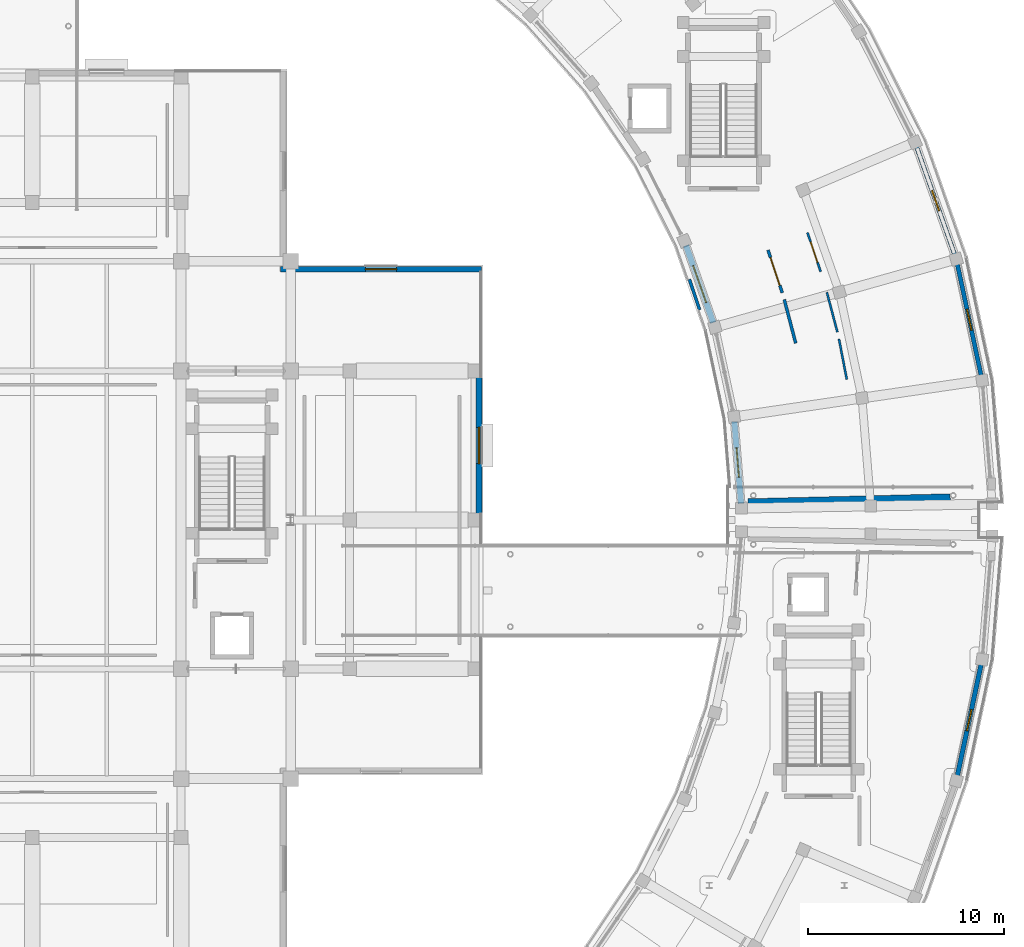
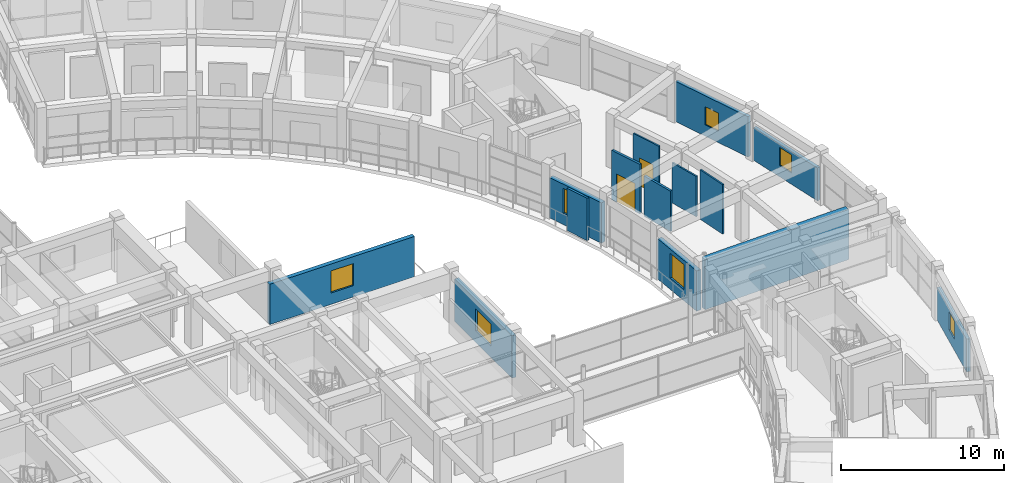
# One storey, part 50 of 70: 14 walls, 7 windows, 2 doors, 9 openings.
"""IFC4 building model written with IfcOpenShell, lengths in metres."""

from ifc_helpers import new_model, si_unit, direction, frame, frame_2d, origin, place, context, subcontext, project, spatial, rectangle, extrude, material, layer, layer_set, type_object, element, fill, save


model = new_model("IFC4")

# Units and contexts
model_context = context("Model", 3, precision=1e-05, world=origin(), true_north=direction((0.0, 1.0)))
body_context = subcontext(model_context, "Body", "Model", "MODEL_VIEW")
ifc_project = project(units=[si_unit("LENGTHUNIT", "METRE"), si_unit("AREAUNIT", "SQUARE_METRE"), si_unit("VOLUMEUNIT", "CUBIC_METRE"), si_unit("PLANEANGLEUNIT", "RADIAN"), si_unit("MASSUNIT", "GRAM", prefix="KILO")], contexts=[model_context])

# Site, building, storey
site_placement = place(None, origin())
site = spatial("IfcSite", under=ifc_project, at=site_placement, CompositionType="ELEMENT")
building_placement = place(site_placement, origin())
building = spatial("IfcBuilding", under=site, at=building_placement, Name="Saryqyr Civic Hall", CompositionType="ELEMENT")
storey_placement = place(building_placement, frame((0.0, 0.0, 13.199951171875)))
storey = spatial("IfcBuildingStorey", under=building, at=storey_placement, Name="L03", CompositionType="ELEMENT", Elevation=13.199951171875)

# Wall, opening, window
ifc_material_1 = material(Name="Precast concrete C40/50", Category="concrete")
ifc_layer_1 = layer(ifc_material_1, 0.219970703125, Name="Precast concrete C40/50")
ifc_layer_set_1 = layer_set([ifc_layer_1], Name="Precast concrete C40/50")
wall_type_1 = type_object("IfcWallType", Name="ENV-WAL-EXT-220", PredefinedType="STANDARD", material=ifc_layer_set_1)
wall_1_placement = place(storey_placement, frame((104.208251953125, 97.07373046875, 0.0), z_axis=(0.0, 0.0, 1.0), x_axis=(0.208873267346, -0.977942717233, 0.0)))
wall_1 = element("IfcWall", 1, at=wall_1_placement, inside=storey, type_object=wall_type_1, Name="Exterior wall V6-EWO-L03-01", PredefinedType="STANDARD", context=body_context, shape_type="SweptSolid", body=[
    extrude(rectangle(XDim=5.84765625, YDim=0.219970703125, at=frame_2d((2.923828125, 0.0))), origin(), (0.0, 0.0, 1.0), 2.449951171875),
])
opening_1_placement = place(wall_1_placement, frame((2.3740234375, 0.0, 0.85009765625)))
opening_1 = element("IfcOpeningElement", 2, at=opening_1_placement, cuts=wall_1, Name="Opening W-01", PredefinedType="OPENING", context=body_context, shape_type="SweptSolid", body=[
    extrude(rectangle(XDim=1.10009765625, YDim=1.35009765625, at=frame_2d((0.550048828125, 0.675048828125))), frame((0.0, 0.119873046875, 0.0), z_axis=(0.0, -1.0, 0.0), x_axis=(1.0, 0.0, 0.0)), (0.0, 0.0, 1.0), 0.239990234375),
])
ifc_material_2 = material(Name="Anodised aluminium and triple low-E glass", Category="aluminium")
window_type_1 = type_object("IfcWindowType", Name="ENV-WIN-W01", PartitioningType="SINGLE_PANEL", PredefinedType="WINDOW", material=ifc_material_2)
window_1_placement = place(opening_1_placement, origin())
window_1 = element("IfcWindow", 3, at=window_1_placement, inside=storey, type_object=window_type_1, Name="Exterior ribbon window V6-L03-01", OverallHeight=1.35009765625, OverallWidth=1.10009765625, PartitioningType="SINGLE_PANEL", PredefinedType="WINDOW", context=body_context, shape_type="SweptSolid", body=[
    extrude(rectangle(XDim=1.10009765625, YDim=1.35009765625, at=frame_2d((0.550048828125, 0.675048828125))), frame((0.0, 0.030029296875, 0.0), z_axis=(0.0, -1.0, 0.0), x_axis=(1.0, 0.0, 0.0)), (0.0, 0.0, 1.0), 0.06005859375),
])
fill(opening_1, window_1)

wall_2_placement = place(storey_placement, frame((102.13232421875, 103.04052734375, 0.0), z_axis=(0.0, 0.0, 1.0), x_axis=(0.333212182882, -0.942851865978, 0.0)))
wall_2 = element("IfcWall", 4, at=wall_2_placement, inside=storey, type_object=wall_type_1, Name="Exterior wall V6-EWO-L03-02", PredefinedType="STANDARD", context=body_context, shape_type="SweptSolid", body=[
    extrude(rectangle(XDim=5.830078125, YDim=0.219970703125, at=frame_2d((2.9150390625, 0.0))), origin(), (0.0, 0.0, 1.0), 3.01513671875),
])
opening_2_placement = place(wall_2_placement, frame((2.364990234375, 0.0, 0.85009765625)))
opening_2 = element("IfcOpeningElement", 5, at=opening_2_placement, cuts=wall_2, Name="Opening W-01", PredefinedType="OPENING", context=body_context, shape_type="SweptSolid", body=[
    extrude(rectangle(XDim=1.10009765625, YDim=1.35009765625, at=frame_2d((0.550048828125, 0.675048828125))), frame((0.0, 0.119873046875, 0.0), z_axis=(0.0, -1.0, 0.0), x_axis=(1.0, 0.0, 0.0)), (0.0, 0.0, 1.0), 0.239990234375),
])
window_2_placement = place(opening_2_placement, origin())
window_2 = element("IfcWindow", 6, at=window_2_placement, inside=storey, type_object=window_type_1, Name="Exterior ribbon window V6-L03-02", OverallHeight=1.35009765625, OverallWidth=1.10009765625, PartitioningType="SINGLE_PANEL", PredefinedType="WINDOW", context=body_context, shape_type="SweptSolid", body=[
    extrude(rectangle(XDim=1.10009765625, YDim=1.35009765625, at=frame_2d((0.550048828125, 0.675048828125))), frame((0.0, 0.030029296875, 0.0), z_axis=(0.0, -1.0, 0.0), x_axis=(1.0, 0.0, 0.0)), (0.0, 0.0, 1.0), 0.06005859375),
])
fill(opening_2, window_2)

ifc_layer_2 = layer(ifc_material_1, 0.239990234375, Name="Precast concrete C40/50")
ifc_layer_set_2 = layer_set([ifc_layer_2], Name="Precast concrete C40/50")
wall_type_2 = type_object("IfcWallType", Name="ENV-WAL-EXT-240", PredefinedType="STANDARD", material=ifc_layer_set_2)
wall_3_placement = place(storey_placement, frame((105.4296875, 76.64501953125, 0.0), z_axis=(0.0, 0.0, 1.0), x_axis=(-0.208873267346, -0.977942717233, 0.0)))
wall_3 = element("IfcWall", 7, at=wall_3_placement, inside=storey, type_object=wall_type_2, Name="Exterior wall V5-EWO-L03-08", PredefinedType="STANDARD", context=body_context, shape_type="SweptSolid", body=[
    extrude(rectangle(XDim=5.84765625, YDim=0.239990234375, at=frame_2d((2.923828125, 0.0))), origin(), (0.0, 0.0, 1.0), 2.449951171875),
])
opening_3_placement = place(wall_3_placement, frame((2.3740234375, 0.0, 0.85009765625)))
opening_3 = element("IfcOpeningElement", 8, at=opening_3_placement, cuts=wall_3, Name="Opening W-01", PredefinedType="OPENING", context=body_context, shape_type="SweptSolid", body=[
    extrude(rectangle(XDim=1.10009765625, YDim=1.35009765625, at=frame_2d((0.550048828125, 0.675048828125))), frame((0.0, 0.1298828125, 0.0), z_axis=(0.0, -1.0, 0.0), x_axis=(1.0, 0.0, 0.0)), (0.0, 0.0, 1.0), 0.260009765625),
])
window_3_placement = place(opening_3_placement, origin())
window_3 = element("IfcWindow", 9, at=window_3_placement, inside=storey, type_object=window_type_1, Name="Exterior ribbon window V5-L03-08", OverallHeight=1.35009765625, OverallWidth=1.10009765625, PartitioningType="SINGLE_PANEL", PredefinedType="WINDOW", context=body_context, shape_type="SweptSolid", body=[
    extrude(rectangle(XDim=1.10009765625, YDim=1.35009765625, at=frame_2d((0.550048828125, 0.675048828125))), frame((0.0, 0.030029296875, 0.0), z_axis=(0.0, -1.0, 0.0), x_axis=(1.0, 0.0, 0.0)), (0.0, 0.0, 1.0), 0.06005859375),
])
fill(opening_3, window_3)

ifc_layer_3 = layer(ifc_material_1, 0.2900390625, Name="Precast concrete C40/50")
ifc_layer_set_3 = layer_set([ifc_layer_3], Name="Precast concrete C40/50")
wall_type_3 = type_object("IfcWallType", Name="ENV-WAL-EXT-290", PredefinedType="STANDARD", material=ifc_layer_set_3)
wall_4_placement = place(storey_placement, frame((69.679931640625, 96.800048828125, 0.0), z_axis=(0.0, 0.0, 1.0), x_axis=(1.0, 0.0, 0.0)))
wall_4 = element("IfcWall", 10, at=wall_4_placement, inside=storey, type_object=wall_type_3, Name="Exterior wall V1-EW-L03-07", PredefinedType="STANDARD", context=body_context, shape_type="SweptSolid", body=[
    extrude(rectangle(XDim=10.239990234375, YDim=0.2900390625, at=frame_2d((5.1201171875, 0.0))), origin(), (0.0, 0.0, 1.0), 3.01513671875),
])
opening_4_placement = place(wall_4_placement, frame((4.320068359375, 0.0, 0.85009765625)))
opening_4 = element("IfcOpeningElement", 11, at=opening_4_placement, cuts=wall_4, Name="Opening W-19", PredefinedType="OPENING", context=body_context, shape_type="SweptSolid", body=[
    extrude(rectangle(XDim=1.60009765625, YDim=1.64990234375, at=frame_2d((0.800048828125, 0.824951171875))), frame((0.0, 0.155029296875, 0.0), z_axis=(0.0, -1.0, 0.0), x_axis=(1.0, 0.0, 0.0)), (0.0, 0.0, 1.0), 0.31005859375),
])
window_type_2 = type_object("IfcWindowType", Name="ENV-WIN-W19", PartitioningType="SINGLE_PANEL", PredefinedType="WINDOW", material=ifc_material_2)
window_4_placement = place(opening_4_placement, origin())
window_4 = element("IfcWindow", 12, at=window_4_placement, inside=storey, type_object=window_type_2, Name="Chamber cluster window L03-07", OverallHeight=1.64990234375, OverallWidth=1.60009765625, PartitioningType="SINGLE_PANEL", PredefinedType="WINDOW", context=body_context, shape_type="SweptSolid", body=[
    extrude(rectangle(XDim=1.60009765625, YDim=1.64990234375, at=frame_2d((0.800048828125, 0.824951171875))), frame((0.0, 0.030029296875, 0.0), z_axis=(0.0, -1.0, 0.0), x_axis=(1.0, 0.0, 0.0)), (0.0, 0.0, 1.0), 0.06005859375),
])
fill(opening_4, window_4)

wall_5_placement = place(storey_placement, frame((79.800048828125, 91.31494140625, 0.0), z_axis=(0.0, 0.0, 1.0), x_axis=(0.0, -1.0, 0.0)))
wall_5 = element("IfcWall", 13, at=wall_5_placement, inside=storey, type_object=wall_type_3, Name="Exterior wall V1-EW-L03-08", PredefinedType="STANDARD", context=body_context, shape_type="SweptSolid", body=[
    extrude(rectangle(XDim=7.030029296875, YDim=0.2900390625, at=frame_2d((3.51513671875, 0.0))), origin(), (0.0, 0.0, 1.0), 3.1650390625),
])
opening_5_placement = place(wall_5_placement, frame((2.590087890625, 0.0, 0.85009765625)))
opening_5 = element("IfcOpeningElement", 14, at=opening_5_placement, cuts=wall_5, Name="Opening W-20", PredefinedType="OPENING", context=body_context, shape_type="SweptSolid", body=[
    extrude(rectangle(XDim=1.85009765625, YDim=1.64990234375, at=frame_2d((0.925048828125, 0.824951171875))), frame((0.0, 0.155029296875, 0.0), z_axis=(0.0, -1.0, 0.0), x_axis=(1.0, 0.0, 0.0)), (0.0, 0.0, 1.0), 0.31005859375),
])
window_type_3 = type_object("IfcWindowType", Name="ENV-WIN-W20", PartitioningType="SINGLE_PANEL", PredefinedType="WINDOW", material=ifc_material_2)
window_5_placement = place(opening_5_placement, origin())
window_5 = element("IfcWindow", 15, at=window_5_placement, inside=storey, type_object=window_type_3, Name="Chamber cluster window L03-08", OverallHeight=1.64990234375, OverallWidth=1.85009765625, PartitioningType="SINGLE_PANEL", PredefinedType="WINDOW", context=body_context, shape_type="SweptSolid", body=[
    extrude(rectangle(XDim=1.85009765625, YDim=1.64990234375, at=frame_2d((0.925048828125, 0.824951171875))), frame((0.0, 0.030029296875, 0.0), z_axis=(0.0, -1.0, 0.0), x_axis=(1.0, 0.0, 0.0)), (0.0, 0.0, 1.0), 0.06005859375),
])
fill(opening_5, window_5)

ifc_layer_4 = layer(ifc_material_1, 0.31005859375, Name="Precast concrete C40/50")
ifc_layer_set_4 = layer_set([ifc_layer_4], Name="Precast concrete C40/50")
wall_type_4 = type_object("IfcWallType", Name="ENV-WAL-EXT-310", PredefinedType="STANDARD", material=ifc_layer_set_4)
wall_6_placement = place(storey_placement, frame((93.17578125, 84.835205078125, 0.0), z_axis=(0.0, 0.0, 1.0), x_axis=(-0.081074723481, 0.99670802606, 0.0)))
wall_6 = element("IfcWall", 16, at=wall_6_placement, inside=storey, type_object=wall_type_4, Name="Exterior wall V6-EWI-L03-00", PredefinedType="STANDARD", context=body_context, shape_type="SweptSolid", body=[
    extrude(rectangle(XDim=4.203857421875, YDim=0.31005859375, at=frame_2d((2.10205078125, 0.0))), origin(), (0.0, 0.0, 1.0), 3.01513671875),
])
opening_6_placement = place(wall_6_placement, frame((1.35205078125, 0.0, 0.85009765625)))
opening_6 = element("IfcOpeningElement", 17, at=opening_6_placement, cuts=wall_6, Name="Opening W-26", PredefinedType="OPENING", context=body_context, shape_type="SweptSolid", body=[
    extrude(rectangle(XDim=1.5, YDim=1.85009765625, at=frame_2d((0.75, 0.925048828125))), frame((0.0, 0.1650390625, 0.0), z_axis=(0.0, -1.0, 0.0), x_axis=(1.0, 0.0, 0.0)), (0.0, 0.0, 1.0), 0.330078125),
])
window_type_4 = type_object("IfcWindowType", Name="ENV-WIN-W26", PartitioningType="SINGLE_PANEL", PredefinedType="WINDOW", material=ifc_material_2)
window_6_placement = place(opening_6_placement, origin())
window_6 = element("IfcWindow", 18, at=window_6_placement, inside=storey, type_object=window_type_4, Name="Courtyard window V6-L03-00", OverallHeight=1.85009765625, OverallWidth=1.5, PartitioningType="SINGLE_PANEL", PredefinedType="WINDOW", context=body_context, shape_type="SweptSolid", body=[
    extrude(rectangle(XDim=1.5, YDim=1.85009765625, at=frame_2d((0.75, 0.925048828125))), frame((0.0, 0.030029296875, 0.0), z_axis=(0.0, -1.0, 0.0), x_axis=(1.0, 0.0, 0.0)), (0.0, 0.0, 1.0), 0.06005859375),
])
fill(opening_6, window_6)

wall_7_placement = place(storey_placement, frame((91.756103515625, 94.067138671875, 0.0), z_axis=(0.0, 0.0, 1.0), x_axis=(-0.333168640656, 0.942867253055, 0.0)))
wall_7 = element("IfcWall", 19, at=wall_7_placement, inside=storey, type_object=wall_type_4, Name="Exterior wall V6-EWI-L03-02", PredefinedType="STANDARD", context=body_context, shape_type="SweptSolid", body=[
    extrude(rectangle(XDim=4.1767578125, YDim=0.31005859375, at=frame_2d((2.08837890625, 0.0))), origin(), (0.0, 0.0, 1.0), 3.01513671875),
])
opening_7_placement = place(wall_7_placement, frame((1.087890625, 0.0, 0.85009765625)))
opening_7 = element("IfcOpeningElement", 20, at=opening_7_placement, cuts=wall_7, Name="Opening W-28", PredefinedType="OPENING", context=body_context, shape_type="SweptSolid", body=[
    extrude(rectangle(XDim=2.0, YDim=1.85009765625, at=frame_2d((1.0, 0.925048828125))), frame((0.0, 0.1650390625, 0.0), z_axis=(0.0, -1.0, 0.0), x_axis=(1.0, 0.0, 0.0)), (0.0, 0.0, 1.0), 0.330078125),
])
window_type_5 = type_object("IfcWindowType", Name="ENV-WIN-W28", PartitioningType="SINGLE_PANEL", PredefinedType="WINDOW", material=ifc_material_2)
window_7_placement = place(opening_7_placement, origin())
window_7 = element("IfcWindow", 21, at=window_7_placement, inside=storey, type_object=window_type_5, Name="Courtyard window V6-L03-02", OverallHeight=1.85009765625, OverallWidth=2.0, PartitioningType="SINGLE_PANEL", PredefinedType="WINDOW", context=body_context, shape_type="SweptSolid", body=[
    extrude(rectangle(XDim=2.0, YDim=1.85009765625, at=frame_2d((1.0, 0.925048828125))), frame((0.0, 0.030029296875, 0.0), z_axis=(0.0, -1.0, 0.0), x_axis=(1.0, 0.0, 0.0)), (0.0, 0.0, 1.0), 0.06005859375),
])
fill(opening_7, window_7)

# Walls
ifc_material_3 = material(Name="Concrete C40/50", Category="concrete")
ifc_layer_5 = layer(ifc_material_3, 0.3798828125, Name="Concrete C40/50")
ifc_layer_set_5 = layer_set([ifc_layer_5], Name="Concrete C40/50")
wall_type_5 = type_object("IfcWallType", Name="ENV-WAL-PTY-380", PredefinedType="SHEAR", material=ifc_layer_set_5)
wall_8_placement = place(storey_placement, frame((103.85009765625, 85.14501953125, 0.0), z_axis=(0.0, 0.0, 1.0), x_axis=(-0.999701591947, -0.024427997417, 0.0)))
element("IfcWall", 22, at=wall_8_placement, inside=storey, type_object=wall_type_5, Name="Exterior wall V6-JNTW-A-L03", PredefinedType="SHEAR", context=body_context, shape_type="SweptSolid", body=[
    extrude(rectangle(XDim=10.314208984375, YDim=0.3798828125, at=frame_2d((5.1572265625, 0.0))), origin(), (0.0, 0.0, 1.0), 3.75),
])
ifc_material_4 = material(Name="Moisture-resistant gypsum partition", Category="gypsum")
ifc_layer_6 = layer(ifc_material_4, 0.110107421875, Name="Moisture-resistant gypsum partition")
ifc_layer_set_6 = layer_set([ifc_layer_6], Name="Moisture-resistant gypsum partition")
wall_type_6 = type_object("IfcWallType", Name="INT-WAL-PRT-110", PredefinedType="PARTITIONING", material=ifc_layer_set_6)
wall_9_placement = place(storey_placement, frame((98.091064453125, 93.585693359375, 0.0), z_axis=(0.0, 0.0, 1.0), x_axis=(-0.255630783162, 0.96677448389, 0.0)))
element("IfcWall", 23, at=wall_9_placement, inside=storey, type_object=wall_type_6, Name="Interior partition PRT-SP-V6-L03-R01-W1", PredefinedType="PARTITIONING", context=body_context, shape_type="SweptSolid", body=[
    extrude(rectangle(XDim=2.10205078125, YDim=0.110107421875, at=frame_2d((1.051025390625, 0.0))), origin(), (0.0, 0.0, 1.0), 3.01513671875),
])

# Wall, opening, door
wall_10_placement = place(storey_placement, frame((97.2373046875, 96.670654296875, 0.0), z_axis=(0.0, 0.0, 1.0), x_axis=(-0.319884220621, 0.947456640379, 0.0)))
wall_10 = element("IfcWall", 24, at=wall_10_placement, inside=storey, type_object=wall_type_6, Name="Interior partition PRT-SP-V6-L03-R01-W2", PredefinedType="PARTITIONING", context=body_context, shape_type="SweptSolid", body=[
    extrude(rectangle(XDim=2.101806640625, YDim=0.110107421875, at=frame_2d((1.05078125, 0.0))), origin(), (0.0, 0.0, 1.0), 3.699951171875),
])
opening_8_placement = place(wall_10_placement, frame((0.5009765625, 0.0, 0.0)))
opening_8 = element("IfcOpeningElement", 25, at=opening_8_placement, cuts=wall_10, Name="Opening D-05", PredefinedType="OPENING", context=body_context, shape_type="SweptSolid", body=[
    extrude(rectangle(XDim=1.10009765625, YDim=2.10009765625, at=frame_2d((0.550048828125, 1.050048828125))), frame((0.0, 0.06494140625, 0.0), z_axis=(0.0, -1.0, 0.0), x_axis=(1.0, 0.0, 0.0)), (0.0, 0.0, 1.0), 0.130126953125),
])
ifc_material_5 = material(Name="Acoustic solid-core oak veneer", Category="wood")
door_type_1 = type_object("IfcDoorType", Name="INT-DR-D-05", OperationType="NOTDEFINED", PredefinedType="DOOR", material=ifc_material_5)
door_1_placement = place(opening_8_placement, origin())
door_1 = element("IfcDoor", 26, at=door_1_placement, inside=storey, type_object=door_type_1, Name="Interior door Chief Architect & Urban Design Directorate", OperationType="SINGLE_SWING_RIGHT", OverallHeight=2.10009765625, OverallWidth=1.10009765625, PredefinedType="DOOR", context=body_context, shape_type="SweptSolid", body=[
    extrude(rectangle(XDim=1.10009765625, YDim=2.10009765625, at=frame_2d((0.550048828125, 1.050048828125))), frame((0.0, 0.02490234375, 0.0), z_axis=(0.0, -1.0, 0.0), x_axis=(1.0, 0.0, 0.0)), (0.0, 0.0, 1.0), 0.050048828125),
])
fill(opening_8, door_1)

# Wall
wall_11_placement = place(storey_placement, frame((98.571044921875, 91.17138671875, 0.0), z_axis=(0.0, 0.0, 1.0), x_axis=(-0.19012663252, 0.981759575256, 0.0)))
element("IfcWall", 27, at=wall_11_placement, inside=storey, type_object=wall_type_6, Name="Interior partition PRT-SP-V6-L03-R01-W3", PredefinedType="PARTITIONING", context=body_context, shape_type="SweptSolid", body=[
    extrude(rectangle(XDim=2.10205078125, YDim=0.110107421875, at=frame_2d((1.051025390625, 0.0))), origin(), (0.0, 0.0, 1.0), 3.699951171875),
])

# Wall, opening, door
ifc_material_6 = material(Name="Acoustic double-stud gypsum board", Category="gypsum")
ifc_layer_7 = layer(ifc_material_6, 0.155029296875, Name="Acoustic double-stud gypsum board")
ifc_layer_set_7 = layer_set([ifc_layer_7], Name="Acoustic double-stud gypsum board")
wall_type_7 = type_object("IfcWallType", Name="INT-WAL-PRT-155", PredefinedType="PARTITIONING", material=ifc_layer_set_7)
wall_12_placement = place(storey_placement, frame((94.549560546875, 97.768798828125, 0.0), z_axis=(0.0, 0.0, 1.0), x_axis=(0.317151668087, -0.94837483066, 0.0)))
wall_12 = element("IfcWall", 28, at=wall_12_placement, inside=storey, type_object=wall_type_7, Name="Interior partition PRT-SP-V6-L03-R04-W1", PredefinedType="PARTITIONING", context=body_context, shape_type="SweptSolid", body=[
    extrude(rectangle(XDim=2.298583984375, YDim=0.155029296875, at=frame_2d((1.1494140625, 0.0))), origin(), (0.0, 0.0, 1.0), 3.699951171875),
])
opening_9_placement = place(wall_12_placement, frame((0.39892578125, 0.0, 0.0)))
opening_9 = element("IfcOpeningElement", 29, at=opening_9_placement, cuts=wall_12, Name="Opening D-08", PredefinedType="OPENING", context=body_context, shape_type="SweptSolid", body=[
    extrude(rectangle(XDim=1.5, YDim=2.10009765625, at=frame_2d((0.75, 1.050048828125))), frame((0.0, 0.08740234375, 0.0), z_axis=(0.0, -1.0, 0.0), x_axis=(1.0, 0.0, 0.0)), (0.0, 0.0, 1.0), 0.175048828125),
])
door_type_2 = type_object("IfcDoorType", Name="INT-DR-D-08", OperationType="NOTDEFINED", PredefinedType="DOOR", material=ifc_material_5)
door_2_placement = place(opening_9_placement, origin())
door_2 = element("IfcDoor", 30, at=door_2_placement, inside=storey, type_object=door_type_2, Name="Interior door Urban Masterplan Review Gallery", OperationType="SINGLE_SWING_LEFT", OverallHeight=2.10009765625, OverallWidth=1.5, PredefinedType="DOOR", context=body_context, shape_type="SweptSolid", body=[
    extrude(rectangle(XDim=1.5, YDim=2.10009765625, at=frame_2d((0.75, 1.050048828125))), frame((0.0, 0.02490234375, 0.0), z_axis=(0.0, -1.0, 0.0), x_axis=(1.0, 0.0, 0.0)), (0.0, 0.0, 1.0), 0.050048828125),
])
fill(opening_9, door_2)

# Walls
wall_13_placement = place(storey_placement, frame((95.38134765625, 95.244140625, 0.0), z_axis=(0.0, 0.0, 1.0), x_axis=(0.253416186792, -0.96735734673, 0.0)))
element("IfcWall", 31, at=wall_13_placement, inside=storey, type_object=wall_type_7, Name="Interior partition PRT-SP-V6-L03-R04-W2", PredefinedType="PARTITIONING", context=body_context, shape_type="SweptSolid", body=[
    extrude(rectangle(XDim=2.298583984375, YDim=0.155029296875, at=frame_2d((1.1494140625, 0.0))), origin(), (0.0, 0.0, 1.0), 3.01513671875),
])
wall_14_placement = place(storey_placement, frame((91.059326171875, 94.718017578125, 0.0), z_axis=(0.0, 0.0, 1.0), x_axis=(-0.317163065143, 0.948371019227, 0.0)))
element("IfcWall", 32, at=wall_14_placement, inside=storey, type_object=wall_type_7, Name="Interior partition PRT-SP-V6-L03-R04-W3", PredefinedType="PARTITIONING", context=body_context, shape_type="SweptSolid", body=[
    extrude(rectangle(XDim=1.644287109375, YDim=0.155029296875, at=frame_2d((0.822265625, 0.0))), origin(), (0.0, 0.0, 1.0), 3.1650390625),
])

save(model, "model.ifc")
